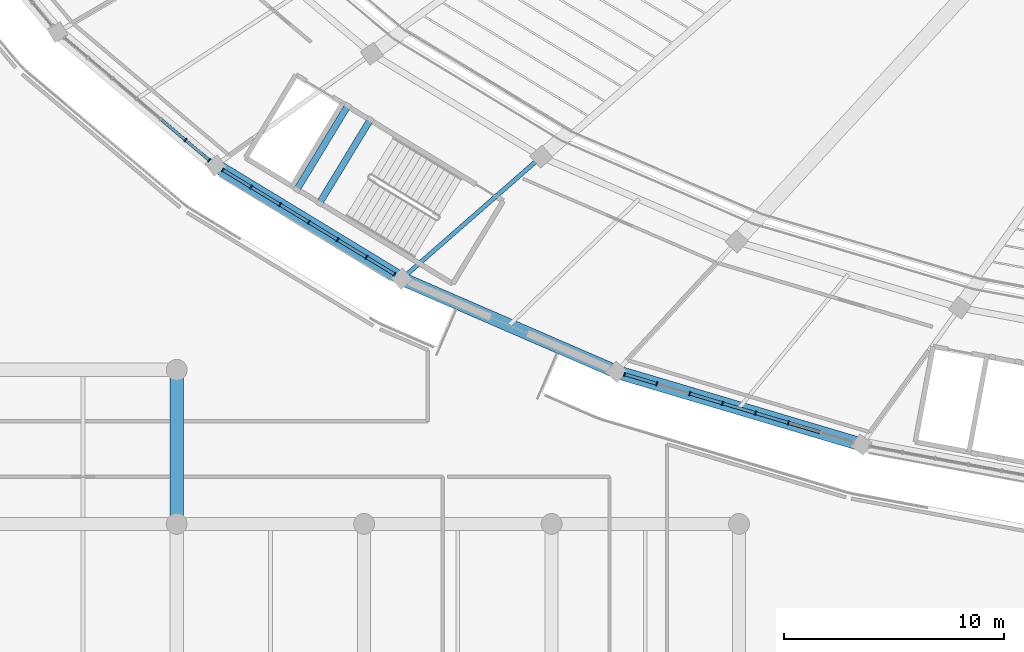
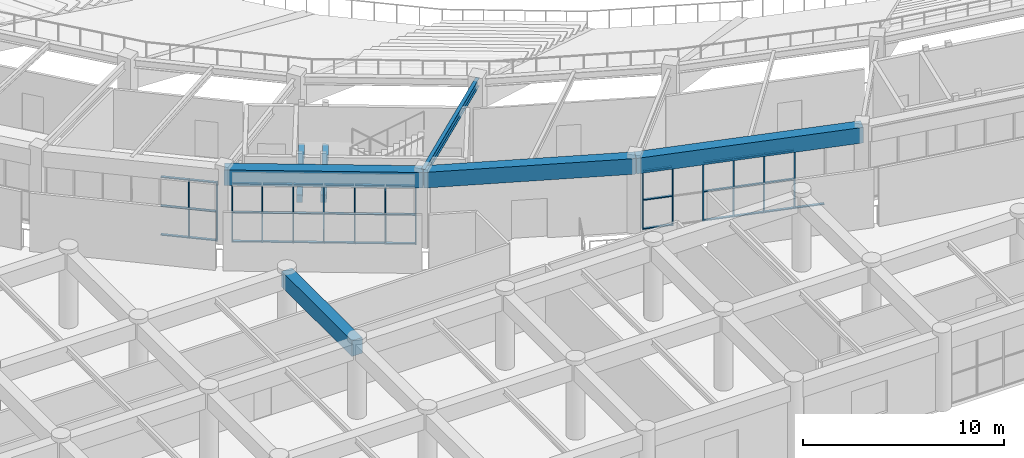
# One storey, part 15 of 137: 52 members, 7 beams, 3 elements without a shape of their own.
"""IFC4 building model written with IfcOpenShell, lengths in metres."""

from ifc_helpers import new_model, si_unit, direction, frame, origin, origin_2d, place, context, subcontext, project, spatial, rectangle, i_section, extrude, material, layer, layer_set, material_profile, profile_set, type_object, element, aggregate, save


model = new_model("IFC4")

# Units and contexts
model_context = context("Model", 3, precision=1e-05, world=origin(), true_north=direction((0.0, 1.0)))
body_context = subcontext(model_context, "Body", "Model", "MODEL_VIEW")
ifc_project = project(units=[si_unit("LENGTHUNIT", "METRE"), si_unit("AREAUNIT", "SQUARE_METRE"), si_unit("VOLUMEUNIT", "CUBIC_METRE"), si_unit("PLANEANGLEUNIT", "RADIAN"), si_unit("MASSUNIT", "GRAM", prefix="KILO")], contexts=[model_context])

# Site, building, storey
site_placement = place(None, origin())
site = spatial("IfcSite", under=ifc_project, at=site_placement, CompositionType="ELEMENT")
building_placement = place(site_placement, origin())
building = spatial("IfcBuilding", under=site, at=building_placement, Name="Mphavela Belvedere Stadium", CompositionType="ELEMENT")
storey_placement = place(building_placement, frame((0.0, 0.0, 19.199951171875)))
storey = spatial("IfcBuildingStorey", under=building, at=storey_placement, Name="L04", CompositionType="ELEMENT", Elevation=19.199951171875)

# Beams
ifc_material_1 = material(Name="Concrete C40/50", Category="concrete")
ifc_material_profile_1 = material_profile(ifc_material_1, rectangle(XDim=0.60009765625, YDim=0.949951171875, at=origin_2d()), Name="RC 600x950")
ifc_profile_set_1 = profile_set([ifc_material_profile_1], Name="Concrete C40/50")
beam_type_1 = type_object("IfcBeamType", Name="BM-ENTABLATURE-950", PredefinedType="SPANDREL", material=ifc_profile_set_1)
beam_1_placement = place(storey_placement, frame((35.844482421875, 30.285400390625, 4.074951171875), z_axis=(0.854326607994, -0.51973651678, 0.0), x_axis=(0.51973651678, 0.854326607994, 0.0)))
element("IfcBeam", 1, at=beam_1_placement, inside=storey, type_object=beam_type_1, Name="Circumferential girder L04 R4-31", PredefinedType="SPANDREL", context=body_context, shape_type="SweptSolid", body=[
    extrude(rectangle(XDim=0.60009765625, YDim=0.949951171875, at=origin_2d()), origin(), (0.0, 0.0, 1.0), 9.901611328125),
])
beam_2_placement = place(storey_placement, frame((44.3037109375, 25.13916015625, 4.074951171875), z_axis=(0.91749867224, -0.397738842004, 0.0), x_axis=(0.397738842004, 0.91749867224, 0.0)))
element("IfcBeam", 2, at=beam_2_placement, inside=storey, type_object=beam_type_1, Name="Circumferential girder L04 R4-32", PredefinedType="SPANDREL", context=body_context, shape_type="SweptSolid", body=[
    extrude(rectangle(XDim=0.60009765625, YDim=0.949951171875, at=origin_2d()), origin(), (0.0, 0.0, 1.0), 10.63623046875),
])
beam_3_placement = place(storey_placement, frame((54.0625, 20.90869140625, 4.074951171875), z_axis=(0.958656362639, -0.284566298727, 0.0), x_axis=(0.284566298727, 0.958656362639, 0.0)))
element("IfcBeam", 3, at=beam_3_placement, inside=storey, type_object=beam_type_1, Name="Circumferential girder L04 R4-33", PredefinedType="SPANDREL", context=body_context, shape_type="SweptSolid", body=[
    extrude(rectangle(XDim=0.60009765625, YDim=0.949951171875, at=origin_2d()), origin(), (0.0, 0.0, 1.0), 11.616455078125),
])
beam_4_placement = place(storey_placement, frame((34.073974609375, 14.0, 4.06494140625), z_axis=(0.0, 1.0, 0.0), x_axis=(-1.0, 0.0, 0.0)))
element("IfcBeam", 4, at=beam_4_placement, inside=storey, type_object=beam_type_1, Name="South Axial Triumphal Peristyle Portico entablature beam Y L04 5-3", PredefinedType="SPANDREL", context=body_context, shape_type="SweptSolid", body=[
    extrude(rectangle(XDim=0.60009765625, YDim=0.949951171875, at=origin_2d()), origin(), (0.0, 0.0, 1.0), 7.0),
])
ifc_material_2 = material(Name="Concrete C40/50", Category="concrete")
ifc_material_profile_2 = material_profile(ifc_material_2, rectangle(XDim=0.300048828125, YDim=0.449951171875, at=origin_2d()), Name="RC 300x450")
ifc_profile_set_2 = profile_set([ifc_material_profile_2], Name="Concrete C40/50")
beam_type_2 = type_object("IfcBeamType", Name="BM-RC300x450", PredefinedType="BEAM", material=ifc_profile_set_2)
for number, where, z_axis, x_axis, name in (
    (5, (42.879150390625, 32.381591796875, 1.97509765625), (-0.519674893272, -0.854364094109, 0.0), (0.854364094109, -0.519674893272, 0.0), "Core C10 landing trimmer beam L04-1"),
    (6, (41.85400390625, 33.005126953125, 1.97509765625), (-0.519674893272, -0.854364094109, 0.0), (0.854364094109, -0.519674893272, 0.0), "Core C10 landing trimmer beam L04-2"),
):
    element("IfcBeam", number, at=place(storey_placement, frame(where, z_axis=z_axis, x_axis=x_axis)), inside=storey, type_object=beam_type_2, Name=name, PredefinedType="BEAM", context=body_context, shape_type="SweptSolid", body=[
        extrude(rectangle(XDim=0.300048828125, YDim=0.449951171875, at=origin_2d()), origin(), (0.0, 0.0, 1.0), 4.47021484375),
    ])
ifc_material_3 = material(Name="Steel S355", Category="steel")
ifc_material_profile_3 = material_profile(ifc_material_3, i_section(OverallWidth=0.199951171875, OverallDepth=0.5, WebThickness=0.01025390625, FlangeThickness=0.01611328125, at=origin_2d()), Name="IPE 500")
ifc_profile_set_3 = profile_set([ifc_material_profile_3], Name="Steel S355")
beam_type_3 = type_object("IfcBeamType", Name="BM-STEEL-IPE500", PredefinedType="BEAM", material=ifc_profile_set_3)
beam_5_placement = place(storey_placement, frame((50.639892578125, 30.68310546875, 4.300048828125), z_axis=(-0.752589268993, -0.658490236978, 0.0), x_axis=(0.658490236978, -0.752589268993, 0.0)))
element("IfcBeam", 7, at=beam_5_placement, inside=storey, type_object=beam_type_3, Name="Radial concourse girder L04 R3R4-32", PredefinedType="BEAM", context=body_context, shape_type="SweptSolid", body=[
    extrude(i_section(OverallWidth=0.199951171875, OverallDepth=0.5, WebThickness=0.01025390625, FlangeThickness=0.01611328125, at=origin_2d()), origin(), (0.0, 0.0, 1.0), 8.419189453125),
])

# Curtain wall, members
ifc_material_4 = material(Name="Anodised bronze unitised curtain wall framing")
ifc_layer_1 = layer(ifc_material_4, 0.199951171875)
ifc_layer_set_1 = layer_set([ifc_layer_1], Name="Anodised bronze unitised curtain wall framing")
curtain_wall_type_1 = type_object("IfcCurtainWallType", Name="CW-UNIT-05", PredefinedType="USERDEFINED", material=ifc_layer_set_1)
curtain_wall_1_placement = place(storey_placement, origin())
curtain_wall_1 = element("IfcCurtainWall", 8, at=curtain_wall_1_placement, inside=storey, type_object=curtain_wall_type_1, Name="Belvedere colonnade curtain wall L04-30", ObjectType="UNITISED CURTAIN WALL", PredefinedType="USERDEFINED")
ifc_material_5 = material(Name="Anodised bronze extruded aluminium", Category="aluminium")
ifc_material_profile_4 = material_profile(ifc_material_5, rectangle(XDim=0.179931640625, YDim=0.06494140625, at=origin_2d()), Name="CW-MUL 180x65")
ifc_profile_set_4 = profile_set([ifc_material_profile_4], Name="Anodised bronze extruded aluminium")
member_type_1 = type_object("IfcMemberType", Name="CWM-180x65", PredefinedType="MULLION", material=ifc_profile_set_4)
member_1_placement = place(storey_placement, frame((34.469970703125, 31.4453125, 0.0), z_axis=(0.0, 0.0, 1.0), x_axis=(0.644916038089, 0.764253429051, 0.0)))
member_1 = element("IfcMember", 9, at=member_1_placement, type_object=member_type_1, Name="CW-05 mullion 6", PredefinedType="MULLION", context=body_context, shape_type="SweptSolid", body=[
    extrude(rectangle(XDim=0.179931640625, YDim=0.06494140625, at=origin_2d()), origin(), (0.0, 0.0, 1.0), 3.570068359375),
])
member_2_placement = place(storey_placement, frame((35.553466796875, 30.53076171875, 0.0), z_axis=(0.0, 0.0, 1.0), x_axis=(0.644916038089, 0.764253429051, 0.0)))
member_2 = element("IfcMember", 10, at=member_2_placement, type_object=member_type_1, Name="CW-05 mullion 7", PredefinedType="MULLION", context=body_context, shape_type="SweptSolid", body=[
    extrude(rectangle(XDim=0.179931640625, YDim=0.06494140625, at=origin_2d()), origin(), (0.0, 0.0, 1.0), 3.570068359375),
])

ifc_material_6 = material(Name="Anodised bronze unitised curtain wall framing")
ifc_layer_2 = layer(ifc_material_6, 0.205078125)
ifc_layer_set_2 = layer_set([ifc_layer_2], Name="Anodised bronze unitised curtain wall framing")
curtain_wall_type_2 = type_object("IfcCurtainWallType", Name="CW-UNIT-06", PredefinedType="USERDEFINED", material=ifc_layer_set_2)
curtain_wall_2_placement = place(storey_placement, origin())
curtain_wall_2 = element("IfcCurtainWall", 11, at=curtain_wall_2_placement, inside=storey, type_object=curtain_wall_type_2, Name="Belvedere colonnade curtain wall L04-31", ObjectType="UNITISED CURTAIN WALL", PredefinedType="USERDEFINED")
member_3_placement = place(storey_placement, frame((36.16943359375, 30.087646484375, 0.0), z_axis=(0.0, 0.0, 1.0), x_axis=(0.519735341101, 0.854327323226, 0.0)))
member_3 = element("IfcMember", 12, at=member_3_placement, type_object=member_type_1, Name="CW-06 mullion 1", PredefinedType="MULLION", context=body_context, shape_type="SweptSolid", body=[
    extrude(rectangle(XDim=0.179931640625, YDim=0.06494140625, at=origin_2d()), origin(), (0.0, 0.0, 1.0), 3.570068359375),
])
member_4_placement = place(storey_placement, frame((37.452392578125, 29.30712890625, 0.0), z_axis=(0.0, 0.0, 1.0), x_axis=(0.519735341101, 0.854327323226, 0.0)))
member_4 = element("IfcMember", 13, at=member_4_placement, type_object=member_type_1, Name="CW-06 mullion 2", PredefinedType="MULLION", context=body_context, shape_type="SweptSolid", body=[
    extrude(rectangle(XDim=0.179931640625, YDim=0.06494140625, at=origin_2d()), origin(), (0.0, 0.0, 1.0), 3.570068359375),
])
member_5_placement = place(storey_placement, frame((38.76318359375, 28.509765625, 0.0), z_axis=(0.0, 0.0, 1.0), x_axis=(0.519735341101, 0.854327323226, 0.0)))
member_5 = element("IfcMember", 14, at=member_5_placement, type_object=member_type_1, Name="CW-06 mullion 3", PredefinedType="MULLION", context=body_context, shape_type="SweptSolid", body=[
    extrude(rectangle(XDim=0.179931640625, YDim=0.06494140625, at=origin_2d()), origin(), (0.0, 0.0, 1.0), 3.570068359375),
])
member_6_placement = place(storey_placement, frame((40.07421875, 27.71240234375, 0.0), z_axis=(0.0, 0.0, 1.0), x_axis=(0.519735341101, 0.854327323226, 0.0)))
member_6 = element("IfcMember", 15, at=member_6_placement, type_object=member_type_1, Name="CW-06 mullion 4", PredefinedType="MULLION", context=body_context, shape_type="SweptSolid", body=[
    extrude(rectangle(XDim=0.179931640625, YDim=0.06494140625, at=origin_2d()), origin(), (0.0, 0.0, 1.0), 3.570068359375),
])
member_7_placement = place(storey_placement, frame((41.385009765625, 26.914794921875, 0.0), z_axis=(0.0, 0.0, 1.0), x_axis=(0.519735341101, 0.854327323226, 0.0)))
member_7 = element("IfcMember", 16, at=member_7_placement, type_object=member_type_1, Name="CW-06 mullion 5", PredefinedType="MULLION", context=body_context, shape_type="SweptSolid", body=[
    extrude(rectangle(XDim=0.179931640625, YDim=0.06494140625, at=origin_2d()), origin(), (0.0, 0.0, 1.0), 3.570068359375),
])
member_8_placement = place(storey_placement, frame((42.69580078125, 26.117431640625, 0.0), z_axis=(0.0, 0.0, 1.0), x_axis=(0.519735341101, 0.854327323226, 0.0)))
member_8 = element("IfcMember", 17, at=member_8_placement, type_object=member_type_1, Name="CW-06 mullion 6", PredefinedType="MULLION", context=body_context, shape_type="SweptSolid", body=[
    extrude(rectangle(XDim=0.179931640625, YDim=0.06494140625, at=origin_2d()), origin(), (0.0, 0.0, 1.0), 3.570068359375),
])
member_9_placement = place(storey_placement, frame((43.978759765625, 25.3369140625, 0.0), z_axis=(0.0, 0.0, 1.0), x_axis=(0.519735341101, 0.854327323226, 0.0)))
member_9 = element("IfcMember", 18, at=member_9_placement, type_object=member_type_1, Name="CW-06 mullion 7", PredefinedType="MULLION", context=body_context, shape_type="SweptSolid", body=[
    extrude(rectangle(XDim=0.179931640625, YDim=0.06494140625, at=origin_2d()), origin(), (0.0, 0.0, 1.0), 3.570068359375),
])

ifc_material_7 = material(Name="Anodised bronze unitised curtain wall framing")
ifc_layer_3 = layer(ifc_material_7, 0.179931640625)
ifc_layer_set_3 = layer_set([ifc_layer_3], Name="Anodised bronze unitised curtain wall framing")
curtain_wall_type_3 = type_object("IfcCurtainWallType", Name="CW-UNIT-01", PredefinedType="USERDEFINED", material=ifc_layer_set_3)
curtain_wall_3_placement = place(storey_placement, origin())
curtain_wall_3 = element("IfcCurtainWall", 19, at=curtain_wall_3_placement, inside=storey, type_object=curtain_wall_type_3, Name="Belvedere colonnade curtain wall L04-33", ObjectType="UNITISED CURTAIN WALL", PredefinedType="USERDEFINED")
member_10_placement = place(storey_placement, frame((54.42724609375, 20.800537109375, 0.0), z_axis=(0.0, 0.0, 1.0), x_axis=(0.284560945489, 0.958657951671, 0.0)))
member_10 = element("IfcMember", 20, at=member_10_placement, type_object=member_type_1, Name="CW-01 mullion 1", PredefinedType="MULLION", context=body_context, shape_type="SweptSolid", body=[
    extrude(rectangle(XDim=0.179931640625, YDim=0.06494140625, at=origin_2d()), origin(), (0.0, 0.0, 1.0), 3.570068359375),
])
member_11_placement = place(storey_placement, frame((55.8916015625, 20.36572265625, 0.0), z_axis=(0.0, 0.0, 1.0), x_axis=(0.284560945489, 0.958657951671, 0.0)))
member_11 = element("IfcMember", 21, at=member_11_placement, type_object=member_type_1, Name="CW-01 mullion 2", PredefinedType="MULLION", context=body_context, shape_type="SweptSolid", body=[
    extrude(rectangle(XDim=0.179931640625, YDim=0.06494140625, at=origin_2d()), origin(), (0.0, 0.0, 1.0), 3.570068359375),
])
member_12_placement = place(storey_placement, frame((57.38720703125, 19.921875, 0.0), z_axis=(0.0, 0.0, 1.0), x_axis=(0.284560945489, 0.958657951671, 0.0)))
member_12 = element("IfcMember", 22, at=member_12_placement, type_object=member_type_1, Name="CW-01 mullion 3", PredefinedType="MULLION", context=body_context, shape_type="SweptSolid", body=[
    extrude(rectangle(XDim=0.179931640625, YDim=0.06494140625, at=origin_2d()), origin(), (0.0, 0.0, 1.0), 3.570068359375),
])
member_13_placement = place(storey_placement, frame((58.8828125, 19.477783203125, 0.0), z_axis=(0.0, 0.0, 1.0), x_axis=(0.284560945489, 0.958657951671, 0.0)))
member_13 = element("IfcMember", 23, at=member_13_placement, type_object=member_type_1, Name="CW-01 mullion 4", PredefinedType="MULLION", context=body_context, shape_type="SweptSolid", body=[
    extrude(rectangle(XDim=0.179931640625, YDim=0.06494140625, at=origin_2d()), origin(), (0.0, 0.0, 1.0), 3.570068359375),
])
member_14_placement = place(storey_placement, frame((60.37841796875, 19.033935546875, 0.0), z_axis=(0.0, 0.0, 1.0), x_axis=(0.284560945489, 0.958657951671, 0.0)))
member_14 = element("IfcMember", 24, at=member_14_placement, type_object=member_type_1, Name="CW-01 mullion 5", PredefinedType="MULLION", context=body_context, shape_type="SweptSolid", body=[
    extrude(rectangle(XDim=0.179931640625, YDim=0.06494140625, at=origin_2d()), origin(), (0.0, 0.0, 1.0), 3.570068359375),
])
member_15_placement = place(storey_placement, frame((61.8740234375, 18.590087890625, 0.0), z_axis=(0.0, 0.0, 1.0), x_axis=(0.284560945489, 0.958657951671, 0.0)))
member_15 = element("IfcMember", 25, at=member_15_placement, type_object=member_type_1, Name="CW-01 mullion 6", PredefinedType="MULLION", context=body_context, shape_type="SweptSolid", body=[
    extrude(rectangle(XDim=0.179931640625, YDim=0.06494140625, at=origin_2d()), origin(), (0.0, 0.0, 1.0), 3.570068359375),
])

# Member
ifc_material_8 = material(Name="Anodised bronze extruded aluminium", Category="aluminium")
ifc_material_profile_5 = material_profile(ifc_material_8, rectangle(XDim=0.139892578125, YDim=0.06005859375, at=origin_2d()), Name="CW-TRN 140x60")
ifc_profile_set_5 = profile_set([ifc_material_profile_5], Name="Anodised bronze extruded aluminium")
member_type_2 = type_object("IfcMemberType", Name="CWT-140x60", PredefinedType="USERDEFINED", material=ifc_profile_set_5)
member_16_placement = place(storey_placement, frame((33.38623046875, 32.359619140625, 0.030029296875), z_axis=(0.764321340715, -0.644835551228, 0.0), x_axis=(0.644835551228, 0.764321340715, 0.0)))
member_16 = element("IfcMember", 26, at=member_16_placement, type_object=member_type_2, Name="CW-05 transom 5.1", ObjectType="TRANSOM", PredefinedType="USERDEFINED", context=body_context, shape_type="SweptSolid", body=[
    extrude(rectangle(XDim=0.139892578125, YDim=0.06005859375, at=origin_2d()), origin(), (0.0, 0.0, 1.0), 1.38525390625),
])

member_17_placement = place(storey_placement, frame((33.38623046875, 32.359619140625, 1.78515625), z_axis=(0.764321340715, -0.644835551228, 0.0), x_axis=(0.644835551228, 0.764321340715, 0.0)))
member_17 = element("IfcMember", 27, at=member_17_placement, type_object=member_type_2, Name="CW-05 transom 5.2", ObjectType="TRANSOM", PredefinedType="USERDEFINED", context=body_context, shape_type="SweptSolid", body=[
    extrude(rectangle(XDim=0.139892578125, YDim=0.06005859375, at=origin_2d()), origin(), (0.0, 0.0, 1.0), 1.38525390625),
])

member_18_placement = place(storey_placement, frame((33.38623046875, 32.359619140625, 3.5400390625), z_axis=(0.764321340715, -0.644835551228, 0.0), x_axis=(0.644835551228, 0.764321340715, 0.0)))
member_18 = element("IfcMember", 28, at=member_18_placement, type_object=member_type_2, Name="CW-05 transom 5.3", ObjectType="TRANSOM", PredefinedType="USERDEFINED", context=body_context, shape_type="SweptSolid", body=[
    extrude(rectangle(XDim=0.139892578125, YDim=0.06005859375, at=origin_2d()), origin(), (0.0, 0.0, 1.0), 1.38525390625),
])

member_19_placement = place(storey_placement, frame((34.494873046875, 31.42431640625, 0.030029296875), z_axis=(0.764227553542, -0.644946700439, 0.0), x_axis=(0.644946700439, 0.764227553542, 0.0)))
member_19 = element("IfcMember", 29, at=member_19_placement, type_object=member_type_2, Name="CW-05 transom 6.1", ObjectType="TRANSOM", PredefinedType="USERDEFINED", context=body_context, shape_type="SweptSolid", body=[
    extrude(rectangle(XDim=0.139892578125, YDim=0.06005859375, at=origin_2d()), origin(), (0.0, 0.0, 1.0), 1.35302734375),
])

member_20_placement = place(storey_placement, frame((34.494873046875, 31.42431640625, 1.78515625), z_axis=(0.764227553542, -0.644946700439, 0.0), x_axis=(0.644946700439, 0.764227553542, 0.0)))
member_20 = element("IfcMember", 30, at=member_20_placement, type_object=member_type_2, Name="CW-05 transom 6.2", ObjectType="TRANSOM", PredefinedType="USERDEFINED", context=body_context, shape_type="SweptSolid", body=[
    extrude(rectangle(XDim=0.139892578125, YDim=0.06005859375, at=origin_2d()), origin(), (0.0, 0.0, 1.0), 1.35302734375),
])

member_21_placement = place(storey_placement, frame((34.494873046875, 31.42431640625, 3.5400390625), z_axis=(0.764227553542, -0.644946700439, 0.0), x_axis=(0.644946700439, 0.764227553542, 0.0)))
member_21 = element("IfcMember", 31, at=member_21_placement, type_object=member_type_2, Name="CW-05 transom 6.3", ObjectType="TRANSOM", PredefinedType="USERDEFINED", context=body_context, shape_type="SweptSolid", body=[
    extrude(rectangle(XDim=0.139892578125, YDim=0.06005859375, at=origin_2d()), origin(), (0.0, 0.0, 1.0), 1.35302734375),
])

aggregate(curtain_wall_1, [member_1, member_2, member_16, member_17, member_18, member_19, member_20, member_21])

member_22_placement = place(storey_placement, frame((36.197265625, 30.07080078125, 0.030029296875), z_axis=(0.854313371297, -0.519758274224, 0.0), x_axis=(0.519758274224, 0.854313371297, 0.0)))
member_22 = element("IfcMember", 32, at=member_22_placement, type_object=member_type_2, Name="CW-06 transom 1.1", ObjectType="TRANSOM", PredefinedType="USERDEFINED", context=body_context, shape_type="SweptSolid", body=[
    extrude(rectangle(XDim=0.139892578125, YDim=0.06005859375, at=origin_2d()), origin(), (0.0, 0.0, 1.0), 1.436767578125),
])

member_23_placement = place(storey_placement, frame((36.197265625, 30.07080078125, 1.78515625), z_axis=(0.854313371297, -0.519758274224, 0.0), x_axis=(0.519758274224, 0.854313371297, 0.0)))
member_23 = element("IfcMember", 33, at=member_23_placement, type_object=member_type_2, Name="CW-06 transom 1.2", ObjectType="TRANSOM", PredefinedType="USERDEFINED", context=body_context, shape_type="SweptSolid", body=[
    extrude(rectangle(XDim=0.139892578125, YDim=0.06005859375, at=origin_2d()), origin(), (0.0, 0.0, 1.0), 1.436767578125),
])

member_24_placement = place(storey_placement, frame((36.197265625, 30.07080078125, 3.5400390625), z_axis=(0.854313371297, -0.519758274224, 0.0), x_axis=(0.519758274224, 0.854313371297, 0.0)))
member_24 = element("IfcMember", 34, at=member_24_placement, type_object=member_type_2, Name="CW-06 transom 1.3", ObjectType="TRANSOM", PredefinedType="USERDEFINED", context=body_context, shape_type="SweptSolid", body=[
    extrude(rectangle(XDim=0.139892578125, YDim=0.06005859375, at=origin_2d()), origin(), (0.0, 0.0, 1.0), 1.436767578125),
])

member_25_placement = place(storey_placement, frame((37.480224609375, 29.290283203125, 0.030029296875), z_axis=(0.854339693741, -0.519715006228, 0.0), x_axis=(0.519715006228, 0.854339693741, 0.0)))
member_25 = element("IfcMember", 35, at=member_25_placement, type_object=member_type_2, Name="CW-06 transom 2.1", ObjectType="TRANSOM", PredefinedType="USERDEFINED", context=body_context, shape_type="SweptSolid", body=[
    extrude(rectangle(XDim=0.139892578125, YDim=0.06005859375, at=origin_2d()), origin(), (0.0, 0.0, 1.0), 1.469482421875),
])

member_26_placement = place(storey_placement, frame((37.480224609375, 29.290283203125, 1.78515625), z_axis=(0.854339693741, -0.519715006228, 0.0), x_axis=(0.519715006228, 0.854339693741, 0.0)))
member_26 = element("IfcMember", 36, at=member_26_placement, type_object=member_type_2, Name="CW-06 transom 2.2", ObjectType="TRANSOM", PredefinedType="USERDEFINED", context=body_context, shape_type="SweptSolid", body=[
    extrude(rectangle(XDim=0.139892578125, YDim=0.06005859375, at=origin_2d()), origin(), (0.0, 0.0, 1.0), 1.469482421875),
])

member_27_placement = place(storey_placement, frame((37.480224609375, 29.290283203125, 3.5400390625), z_axis=(0.854339693741, -0.519715006228, 0.0), x_axis=(0.519715006228, 0.854339693741, 0.0)))
member_27 = element("IfcMember", 37, at=member_27_placement, type_object=member_type_2, Name="CW-06 transom 2.3", ObjectType="TRANSOM", PredefinedType="USERDEFINED", context=body_context, shape_type="SweptSolid", body=[
    extrude(rectangle(XDim=0.139892578125, YDim=0.06005859375, at=origin_2d()), origin(), (0.0, 0.0, 1.0), 1.469482421875),
])

member_28_placement = place(storey_placement, frame((38.791015625, 28.492919921875, 0.030029296875), z_axis=(0.854339693741, -0.519715006228, 0.0), x_axis=(0.519715006228, 0.854339693741, 0.0)))
member_28 = element("IfcMember", 38, at=member_28_placement, type_object=member_type_2, Name="CW-06 transom 3.1", ObjectType="TRANSOM", PredefinedType="USERDEFINED", context=body_context, shape_type="SweptSolid", body=[
    extrude(rectangle(XDim=0.139892578125, YDim=0.06005859375, at=origin_2d()), origin(), (0.0, 0.0, 1.0), 1.469482421875),
])

member_29_placement = place(storey_placement, frame((38.791015625, 28.492919921875, 1.78515625), z_axis=(0.854339693741, -0.519715006228, 0.0), x_axis=(0.519715006228, 0.854339693741, 0.0)))
member_29 = element("IfcMember", 39, at=member_29_placement, type_object=member_type_2, Name="CW-06 transom 3.2", ObjectType="TRANSOM", PredefinedType="USERDEFINED", context=body_context, shape_type="SweptSolid", body=[
    extrude(rectangle(XDim=0.139892578125, YDim=0.06005859375, at=origin_2d()), origin(), (0.0, 0.0, 1.0), 1.469482421875),
])

member_30_placement = place(storey_placement, frame((38.791015625, 28.492919921875, 3.5400390625), z_axis=(0.854339693741, -0.519715006228, 0.0), x_axis=(0.519715006228, 0.854339693741, 0.0)))
member_30 = element("IfcMember", 40, at=member_30_placement, type_object=member_type_2, Name="CW-06 transom 3.3", ObjectType="TRANSOM", PredefinedType="USERDEFINED", context=body_context, shape_type="SweptSolid", body=[
    extrude(rectangle(XDim=0.139892578125, YDim=0.06005859375, at=origin_2d()), origin(), (0.0, 0.0, 1.0), 1.469482421875),
])

member_31_placement = place(storey_placement, frame((40.101806640625, 27.6953125, 0.030029296875), z_axis=(0.854339693741, -0.519715006228, 0.0), x_axis=(0.519715006228, 0.854339693741, 0.0)))
member_31 = element("IfcMember", 41, at=member_31_placement, type_object=member_type_2, Name="CW-06 transom 4.1", ObjectType="TRANSOM", PredefinedType="USERDEFINED", context=body_context, shape_type="SweptSolid", body=[
    extrude(rectangle(XDim=0.139892578125, YDim=0.06005859375, at=origin_2d()), origin(), (0.0, 0.0, 1.0), 1.469482421875),
])

member_32_placement = place(storey_placement, frame((40.101806640625, 27.6953125, 1.78515625), z_axis=(0.854339693741, -0.519715006228, 0.0), x_axis=(0.519715006228, 0.854339693741, 0.0)))
member_32 = element("IfcMember", 42, at=member_32_placement, type_object=member_type_2, Name="CW-06 transom 4.2", ObjectType="TRANSOM", PredefinedType="USERDEFINED", context=body_context, shape_type="SweptSolid", body=[
    extrude(rectangle(XDim=0.139892578125, YDim=0.06005859375, at=origin_2d()), origin(), (0.0, 0.0, 1.0), 1.469482421875),
])

member_33_placement = place(storey_placement, frame((40.101806640625, 27.6953125, 3.5400390625), z_axis=(0.854339693741, -0.519715006228, 0.0), x_axis=(0.519715006228, 0.854339693741, 0.0)))
member_33 = element("IfcMember", 43, at=member_33_placement, type_object=member_type_2, Name="CW-06 transom 4.3", ObjectType="TRANSOM", PredefinedType="USERDEFINED", context=body_context, shape_type="SweptSolid", body=[
    extrude(rectangle(XDim=0.139892578125, YDim=0.06005859375, at=origin_2d()), origin(), (0.0, 0.0, 1.0), 1.469482421875),
])

member_34_placement = place(storey_placement, frame((41.41259765625, 26.89794921875, 0.030029296875), z_axis=(0.854339693741, -0.519715006228, 0.0), x_axis=(0.519715006228, 0.854339693741, 0.0)))
member_34 = element("IfcMember", 44, at=member_34_placement, type_object=member_type_2, Name="CW-06 transom 5.1", ObjectType="TRANSOM", PredefinedType="USERDEFINED", context=body_context, shape_type="SweptSolid", body=[
    extrude(rectangle(XDim=0.139892578125, YDim=0.06005859375, at=origin_2d()), origin(), (0.0, 0.0, 1.0), 1.469482421875),
])

member_35_placement = place(storey_placement, frame((41.41259765625, 26.89794921875, 1.78515625), z_axis=(0.854339693741, -0.519715006228, 0.0), x_axis=(0.519715006228, 0.854339693741, 0.0)))
member_35 = element("IfcMember", 45, at=member_35_placement, type_object=member_type_2, Name="CW-06 transom 5.2", ObjectType="TRANSOM", PredefinedType="USERDEFINED", context=body_context, shape_type="SweptSolid", body=[
    extrude(rectangle(XDim=0.139892578125, YDim=0.06005859375, at=origin_2d()), origin(), (0.0, 0.0, 1.0), 1.469482421875),
])

member_36_placement = place(storey_placement, frame((41.41259765625, 26.89794921875, 3.5400390625), z_axis=(0.854339693741, -0.519715006228, 0.0), x_axis=(0.519715006228, 0.854339693741, 0.0)))
member_36 = element("IfcMember", 46, at=member_36_placement, type_object=member_type_2, Name="CW-06 transom 5.3", ObjectType="TRANSOM", PredefinedType="USERDEFINED", context=body_context, shape_type="SweptSolid", body=[
    extrude(rectangle(XDim=0.139892578125, YDim=0.06005859375, at=origin_2d()), origin(), (0.0, 0.0, 1.0), 1.469482421875),
])

member_37_placement = place(storey_placement, frame((42.723388671875, 26.1005859375, 0.030029296875), z_axis=(0.854313371297, -0.519758274224, 0.0), x_axis=(0.519758274224, 0.854313371297, 0.0)))
member_37 = element("IfcMember", 47, at=member_37_placement, type_object=member_type_2, Name="CW-06 transom 6.1", ObjectType="TRANSOM", PredefinedType="USERDEFINED", context=body_context, shape_type="SweptSolid", body=[
    extrude(rectangle(XDim=0.139892578125, YDim=0.06005859375, at=origin_2d()), origin(), (0.0, 0.0, 1.0), 1.436767578125),
])

member_38_placement = place(storey_placement, frame((42.723388671875, 26.1005859375, 1.78515625), z_axis=(0.854313371297, -0.519758274224, 0.0), x_axis=(0.519758274224, 0.854313371297, 0.0)))
member_38 = element("IfcMember", 48, at=member_38_placement, type_object=member_type_2, Name="CW-06 transom 6.2", ObjectType="TRANSOM", PredefinedType="USERDEFINED", context=body_context, shape_type="SweptSolid", body=[
    extrude(rectangle(XDim=0.139892578125, YDim=0.06005859375, at=origin_2d()), origin(), (0.0, 0.0, 1.0), 1.436767578125),
])

member_39_placement = place(storey_placement, frame((42.723388671875, 26.1005859375, 3.5400390625), z_axis=(0.854313371297, -0.519758274224, 0.0), x_axis=(0.519758274224, 0.854313371297, 0.0)))
member_39 = element("IfcMember", 49, at=member_39_placement, type_object=member_type_2, Name="CW-06 transom 6.3", ObjectType="TRANSOM", PredefinedType="USERDEFINED", context=body_context, shape_type="SweptSolid", body=[
    extrude(rectangle(XDim=0.139892578125, YDim=0.06005859375, at=origin_2d()), origin(), (0.0, 0.0, 1.0), 1.436767578125),
])

aggregate(curtain_wall_2, [member_3, member_4, member_5, member_6, member_7, member_8, member_9, member_22, member_23, member_24, member_25, member_26, member_27, member_28, member_29, member_30, member_31, member_32, member_33, member_34, member_35, member_36, member_37, member_38, member_39])

member_40_placement = place(storey_placement, frame((54.458251953125, 20.791259765625, 0.030029296875), z_axis=(0.958644731481, -0.284605479223, 0.0), x_axis=(0.284605479223, 0.958644731481, 0.0)))
member_40 = element("IfcMember", 50, at=member_40_placement, type_object=member_type_2, Name="CW-01 transom 1.1", ObjectType="TRANSOM", PredefinedType="USERDEFINED", context=body_context, shape_type="SweptSolid", body=[
    extrude(rectangle(XDim=0.139892578125, YDim=0.06005859375, at=origin_2d()), origin(), (0.0, 0.0, 1.0), 1.462646484375),
])

member_41_placement = place(storey_placement, frame((54.458251953125, 20.791259765625, 1.78515625), z_axis=(0.958644731481, -0.284605479223, 0.0), x_axis=(0.284605479223, 0.958644731481, 0.0)))
member_41 = element("IfcMember", 51, at=member_41_placement, type_object=member_type_2, Name="CW-01 transom 1.2", ObjectType="TRANSOM", PredefinedType="USERDEFINED", context=body_context, shape_type="SweptSolid", body=[
    extrude(rectangle(XDim=0.139892578125, YDim=0.06005859375, at=origin_2d()), origin(), (0.0, 0.0, 1.0), 1.462646484375),
])

member_42_placement = place(storey_placement, frame((54.458251953125, 20.791259765625, 3.5400390625), z_axis=(0.958644731481, -0.284605479223, 0.0), x_axis=(0.284605479223, 0.958644731481, 0.0)))
member_42 = element("IfcMember", 52, at=member_42_placement, type_object=member_type_2, Name="CW-01 transom 1.3", ObjectType="TRANSOM", PredefinedType="USERDEFINED", context=body_context, shape_type="SweptSolid", body=[
    extrude(rectangle(XDim=0.139892578125, YDim=0.06005859375, at=origin_2d()), origin(), (0.0, 0.0, 1.0), 1.462646484375),
])

member_43_placement = place(storey_placement, frame((57.41845703125, 19.91259765625, 0.030029296875), z_axis=(0.958631548823, -0.284649878977, 0.0), x_axis=(0.284649878977, 0.958631548823, 0.0)))
member_43 = element("IfcMember", 53, at=member_43_placement, type_object=member_type_2, Name="CW-01 transom 3.1", ObjectType="TRANSOM", PredefinedType="USERDEFINED", context=body_context, shape_type="SweptSolid", body=[
    extrude(rectangle(XDim=0.139892578125, YDim=0.06005859375, at=origin_2d()), origin(), (0.0, 0.0, 1.0), 1.494873046875),
])

member_44_placement = place(storey_placement, frame((57.41845703125, 19.91259765625, 1.78515625), z_axis=(0.958631548823, -0.284649878977, 0.0), x_axis=(0.284649878977, 0.958631548823, 0.0)))
member_44 = element("IfcMember", 54, at=member_44_placement, type_object=member_type_2, Name="CW-01 transom 3.2", ObjectType="TRANSOM", PredefinedType="USERDEFINED", context=body_context, shape_type="SweptSolid", body=[
    extrude(rectangle(XDim=0.139892578125, YDim=0.06005859375, at=origin_2d()), origin(), (0.0, 0.0, 1.0), 1.494873046875),
])

member_45_placement = place(storey_placement, frame((57.41845703125, 19.91259765625, 3.5400390625), z_axis=(0.958631548823, -0.284649878977, 0.0), x_axis=(0.284649878977, 0.958631548823, 0.0)))
member_45 = element("IfcMember", 55, at=member_45_placement, type_object=member_type_2, Name="CW-01 transom 3.3", ObjectType="TRANSOM", PredefinedType="USERDEFINED", context=body_context, shape_type="SweptSolid", body=[
    extrude(rectangle(XDim=0.139892578125, YDim=0.06005859375, at=origin_2d()), origin(), (0.0, 0.0, 1.0), 1.494873046875),
])

member_46_placement = place(storey_placement, frame((58.9140625, 19.468505859375, 0.030029296875), z_axis=(0.958676102342, -0.284499790508, 0.0), x_axis=(0.284499790508, 0.958676102342, 0.0)))
member_46 = element("IfcMember", 56, at=member_46_placement, type_object=member_type_2, Name="CW-01 transom 4.1", ObjectType="TRANSOM", PredefinedType="USERDEFINED", context=body_context, shape_type="SweptSolid", body=[
    extrude(rectangle(XDim=0.139892578125, YDim=0.06005859375, at=origin_2d()), origin(), (0.0, 0.0, 1.0), 1.494873046875),
])

member_47_placement = place(storey_placement, frame((58.9140625, 19.468505859375, 1.78515625), z_axis=(0.958676102342, -0.284499790508, 0.0), x_axis=(0.284499790508, 0.958676102342, 0.0)))
member_47 = element("IfcMember", 57, at=member_47_placement, type_object=member_type_2, Name="CW-01 transom 4.2", ObjectType="TRANSOM", PredefinedType="USERDEFINED", context=body_context, shape_type="SweptSolid", body=[
    extrude(rectangle(XDim=0.139892578125, YDim=0.06005859375, at=origin_2d()), origin(), (0.0, 0.0, 1.0), 1.494873046875),
])

member_48_placement = place(storey_placement, frame((58.9140625, 19.468505859375, 3.5400390625), z_axis=(0.958676102342, -0.284499790508, 0.0), x_axis=(0.284499790508, 0.958676102342, 0.0)))
member_48 = element("IfcMember", 58, at=member_48_placement, type_object=member_type_2, Name="CW-01 transom 4.3", ObjectType="TRANSOM", PredefinedType="USERDEFINED", context=body_context, shape_type="SweptSolid", body=[
    extrude(rectangle(XDim=0.139892578125, YDim=0.06005859375, at=origin_2d()), origin(), (0.0, 0.0, 1.0), 1.494873046875),
])

member_49_placement = place(storey_placement, frame((60.40966796875, 19.024658203125, 0.030029296875), z_axis=(0.958631548823, -0.284649878977, 0.0), x_axis=(0.284649878977, 0.958631548823, 0.0)))
member_49 = element("IfcMember", 59, at=member_49_placement, type_object=member_type_2, Name="CW-01 transom 5.1", ObjectType="TRANSOM", PredefinedType="USERDEFINED", context=body_context, shape_type="SweptSolid", body=[
    extrude(rectangle(XDim=0.139892578125, YDim=0.06005859375, at=origin_2d()), origin(), (0.0, 0.0, 1.0), 1.494873046875),
])

member_50_placement = place(storey_placement, frame((60.40966796875, 19.024658203125, 1.78515625), z_axis=(0.958631548823, -0.284649878977, 0.0), x_axis=(0.284649878977, 0.958631548823, 0.0)))
member_50 = element("IfcMember", 60, at=member_50_placement, type_object=member_type_2, Name="CW-01 transom 5.2", ObjectType="TRANSOM", PredefinedType="USERDEFINED", context=body_context, shape_type="SweptSolid", body=[
    extrude(rectangle(XDim=0.139892578125, YDim=0.06005859375, at=origin_2d()), origin(), (0.0, 0.0, 1.0), 1.494873046875),
])

member_51_placement = place(storey_placement, frame((60.40966796875, 19.024658203125, 3.5400390625), z_axis=(0.958631548823, -0.284649878977, 0.0), x_axis=(0.284649878977, 0.958631548823, 0.0)))
member_51 = element("IfcMember", 61, at=member_51_placement, type_object=member_type_2, Name="CW-01 transom 5.3", ObjectType="TRANSOM", PredefinedType="USERDEFINED", context=body_context, shape_type="SweptSolid", body=[
    extrude(rectangle(XDim=0.139892578125, YDim=0.06005859375, at=origin_2d()), origin(), (0.0, 0.0, 1.0), 1.494873046875),
])

member_52_placement = place(storey_placement, frame((61.9052734375, 18.580810546875, 0.030029296875), z_axis=(0.958631548823, -0.284649878977, 0.0), x_axis=(0.284649878977, 0.958631548823, 0.0)))
member_52 = element("IfcMember", 62, at=member_52_placement, type_object=member_type_2, Name="CW-01 transom 6.1", ObjectType="TRANSOM", PredefinedType="USERDEFINED", context=body_context, shape_type="SweptSolid", body=[
    extrude(rectangle(XDim=0.139892578125, YDim=0.06005859375, at=origin_2d()), origin(), (0.0, 0.0, 1.0), 1.494873046875),
])

aggregate(curtain_wall_3, [member_10, member_11, member_12, member_13, member_14, member_15, member_40, member_41, member_42, member_43, member_44, member_45, member_46, member_47, member_48, member_49, member_50, member_51, member_52])

save(model, "model.ifc")
